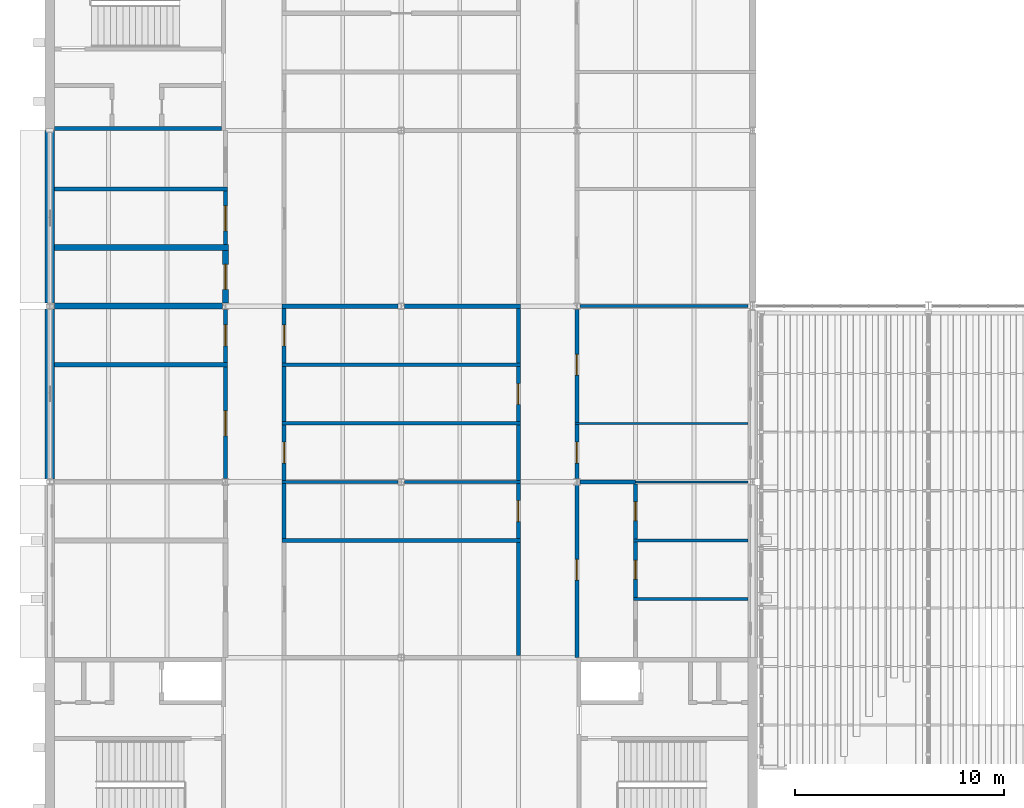
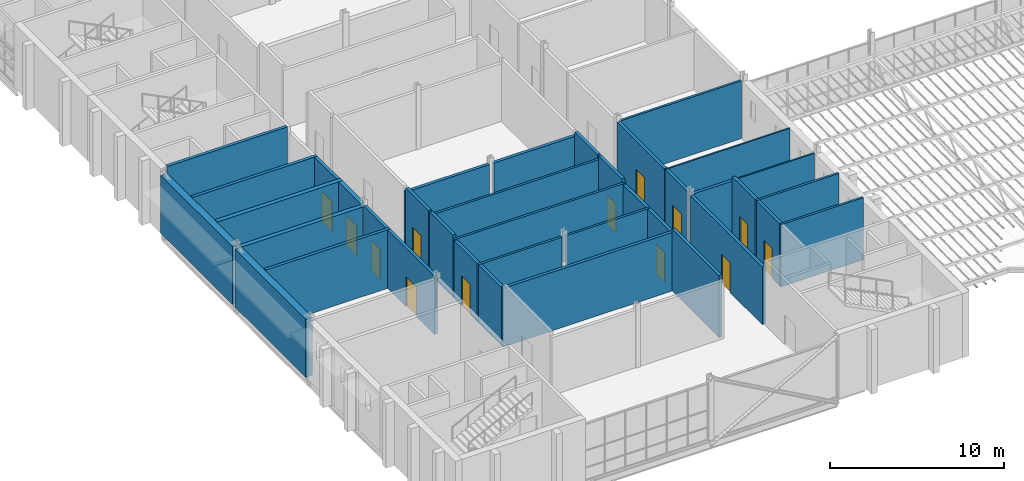
# One storey, part 85 of 129: 38 walls, 13 doors, 13 openings.
"""IFC4 building model written with IfcOpenShell, lengths in metres."""

from ifc_helpers import new_model, si_unit, direction, frame, frame_2d, origin, place, context, subcontext, project, spatial, rectangle, extrude, material, layer, layer_set, type_object, element, fill, save


model = new_model("IFC4")

# Units and contexts
model_context = context("Model", 3, precision=1e-05, world=origin(), true_north=direction((0.0, 1.0)))
body_context = subcontext(model_context, "Body", "Model", "MODEL_VIEW")
ifc_project = project(units=[si_unit("LENGTHUNIT", "METRE"), si_unit("AREAUNIT", "SQUARE_METRE"), si_unit("VOLUMEUNIT", "CUBIC_METRE"), si_unit("PLANEANGLEUNIT", "RADIAN"), si_unit("MASSUNIT", "GRAM", prefix="KILO")], contexts=[model_context])

# Site, building, storey
site_placement = place(None, origin())
site = spatial("IfcSite", under=ifc_project, at=site_placement, CompositionType="ELEMENT")
building_placement = place(site_placement, origin())
building = spatial("IfcBuilding", under=site, at=building_placement, Name="Ardhachandra Cancer Care Centre", CompositionType="ELEMENT")
storey_placement = place(building_placement, frame((0.0, 0.0, 4.5)))
storey = spatial("IfcBuildingStorey", under=building, at=storey_placement, Name="L01", CompositionType="ELEMENT", Elevation=4.5)

# Wall
ifc_material_1 = material(Name="Gypsum board corridor partition on steel studs", Category="steel")
ifc_layer_1 = layer(ifc_material_1, 0.199951171875)
ifc_layer_set_1 = layer_set([ifc_layer_1], Name="Gypsum board corridor partition on steel studs")
wall_type_1 = type_object("IfcWallType", Name="CORRIDOR WALL 200", PredefinedType="PARTITIONING", material=ifc_layer_set_1)
wall_1_placement = place(storey_placement, frame((36.14990234375, 46.199951171875, 0.0), z_axis=(0.0, 0.0, 1.0), x_axis=(1.0, 0.0, 0.0)))
element("IfcWall", 1, at=wall_1_placement, inside=storey, type_object=wall_type_1, Name="R/wall/L01/h0046200_0036150", PredefinedType="PARTITIONING", context=body_context, shape_type="SweptSolid", body=[
    extrude(rectangle(XDim=2.650146484375, YDim=0.199951171875, at=frame_2d((1.3251953125, 0.0))), origin(), (0.0, 0.0, 1.0), 4.0439453125),
])

# Wall, opening, door
wall_2_placement = place(storey_placement, frame((19.199951171875, 51.89990234375, 0.0), z_axis=(0.0, 0.0, 1.0), x_axis=(0.0, 1.0, 0.0)))
wall_2 = element("IfcWall", 2, at=wall_2_placement, inside=storey, type_object=wall_type_1, Name="R/wall/L01/v0019200_0051900", PredefinedType="PARTITIONING", context=body_context, shape_type="SweptSolid", body=[
    extrude(rectangle(XDim=2.550048828125, YDim=0.199951171875, at=frame_2d((1.27490234375, 0.0))), origin(), (0.0, 0.0, 1.0), 4.10009765625),
])
opening_1_placement = place(wall_2_placement, frame((0.800048828125, 0.0, 0.0)))
opening_1 = element("IfcOpeningElement", 3, at=opening_1_placement, cuts=wall_2, Name="Opening L01-0047", PredefinedType="OPENING", context=body_context, shape_type="SweptSolid", body=[
    extrude(rectangle(XDim=1.0, YDim=2.10009765625, at=frame_2d((0.5, 1.050048828125))), frame((0.0, 0.10986328125, 0.0), z_axis=(0.0, -1.0, 0.0), x_axis=(1.0, 0.0, 0.0)), (0.0, 0.0, 1.0), 0.219970703125),
])
ifc_material_2 = material(Name="Timber fire door with smoke seals", Category="wood")
door_type_1 = type_object("IfcDoorType", Name="FIRE DOOR SINGLE 1000x2100 FD30S", OperationType="NOTDEFINED", PredefinedType="DOOR", material=ifc_material_2)
door_1_placement = place(opening_1_placement, origin())
door_1 = element("IfcDoor", 4, at=door_1_placement, inside=storey, type_object=door_type_1, Name="Door L01-0047", OperationType="SINGLE_SWING_LEFT", OverallHeight=2.10009765625, OverallWidth=1.0, PredefinedType="DOOR", context=body_context, shape_type="SweptSolid", body=[
    extrude(rectangle(XDim=1.0, YDim=2.10009765625, at=frame_2d((0.5, 1.050048828125))), frame((0.0, 0.02490234375, 0.0), z_axis=(0.0, -1.0, 0.0), x_axis=(1.0, 0.0, 0.0)), (0.0, 0.0, 1.0), 0.050048828125),
])
fill(opening_1, door_1)

# Wall
wall_3_placement = place(storey_placement, frame((22.0, 43.5, 0.0), z_axis=(0.0, 0.0, 1.0), x_axis=(0.0, 1.0, 0.0)))
element("IfcWall", 5, at=wall_3_placement, inside=storey, type_object=wall_type_1, Name="R/wall/L01/v0022000_0043500", PredefinedType="PARTITIONING", context=body_context, shape_type="SweptSolid", body=[
    extrude(rectangle(XDim=2.625, YDim=0.199951171875, at=frame_2d((1.3125, 0.0))), origin(), (0.0, 0.0, 1.0), 4.0439453125),
])

# Wall, opening, door
wall_4_placement = place(storey_placement, frame((22.0, 46.27490234375, 0.0), z_axis=(0.0, 0.0, 1.0), x_axis=(0.0, 1.0, 0.0)))
wall_4 = element("IfcWall", 6, at=wall_4_placement, inside=storey, type_object=wall_type_1, Name="R/wall/L01/v0022000_0046275", PredefinedType="PARTITIONING", context=body_context, shape_type="SweptSolid", body=[
    extrude(rectangle(XDim=2.650146484375, YDim=0.199951171875, at=frame_2d((1.3251953125, 0.0))), origin(), (0.0, 0.0, 1.0), 4.0439453125),
])
opening_2_placement = place(wall_4_placement, frame((0.824951171875, 0.0, 0.0)))
opening_2 = element("IfcOpeningElement", 7, at=opening_2_placement, cuts=wall_4, Name="Opening L01-0052", PredefinedType="OPENING", context=body_context, shape_type="SweptSolid", body=[
    extrude(rectangle(XDim=1.0, YDim=2.10009765625, at=frame_2d((0.5, 1.050048828125))), frame((0.0, 0.10986328125, 0.0), z_axis=(0.0, -1.0, 0.0), x_axis=(1.0, 0.0, 0.0)), (0.0, 0.0, 1.0), 0.219970703125),
])
door_2_placement = place(opening_2_placement, origin())
door_2 = element("IfcDoor", 8, at=door_2_placement, inside=storey, type_object=door_type_1, Name="Door L01-0052", OperationType="SINGLE_SWING_LEFT", OverallHeight=2.10009765625, OverallWidth=1.0, PredefinedType="DOOR", context=body_context, shape_type="SweptSolid", body=[
    extrude(rectangle(XDim=1.0, YDim=2.10009765625, at=frame_2d((0.5, 1.050048828125))), frame((0.0, 0.02490234375, 0.0), z_axis=(0.0, -1.0, 0.0), x_axis=(1.0, 0.0, 0.0)), (0.0, 0.0, 1.0), 0.050048828125),
])
fill(opening_2, door_2)

# Wall
wall_5_placement = place(storey_placement, frame((22.0, 49.074951171875, 0.0), z_axis=(0.0, 0.0, 1.0), x_axis=(0.0, 1.0, 0.0)))
element("IfcWall", 9, at=wall_5_placement, inside=storey, type_object=wall_type_1, Name="R/wall/L01/v0022000_0049075", PredefinedType="PARTITIONING", context=body_context, shape_type="SweptSolid", body=[
    extrude(rectangle(XDim=2.650146484375, YDim=0.199951171875, at=frame_2d((1.3251953125, 0.0))), origin(), (0.0, 0.0, 1.0), 4.35009765625),
])

# Wall, opening, door
wall_6_placement = place(storey_placement, frame((22.0, 51.875, 0.0), z_axis=(0.0, 0.0, 1.0), x_axis=(0.0, 1.0, 0.0)))
wall_6 = element("IfcWall", 10, at=wall_6_placement, inside=storey, type_object=wall_type_1, Name="R/wall/L01/v0022000_0051875", PredefinedType="PARTITIONING", context=body_context, shape_type="SweptSolid", body=[
    extrude(rectangle(XDim=2.625, YDim=0.199951171875, at=frame_2d((1.3125, 0.0))), origin(), (0.0, 0.0, 1.0), 4.35009765625),
])
opening_3_placement = place(wall_6_placement, frame((0.824951171875, 0.0, 0.0)))
opening_3 = element("IfcOpeningElement", 11, at=opening_3_placement, cuts=wall_6, Name="Opening L01-0053", PredefinedType="OPENING", context=body_context, shape_type="SweptSolid", body=[
    extrude(rectangle(XDim=1.0, YDim=2.10009765625, at=frame_2d((0.5, 1.050048828125))), frame((0.0, 0.10986328125, 0.0), z_axis=(0.0, -1.0, 0.0), x_axis=(1.0, 0.0, 0.0)), (0.0, 0.0, 1.0), 0.219970703125),
])
door_3_placement = place(opening_3_placement, origin())
door_3 = element("IfcDoor", 12, at=door_3_placement, inside=storey, type_object=door_type_1, Name="Door L01-0053", OperationType="SINGLE_SWING_RIGHT", OverallHeight=2.10009765625, OverallWidth=1.0, PredefinedType="DOOR", context=body_context, shape_type="SweptSolid", body=[
    extrude(rectangle(XDim=1.0, YDim=2.10009765625, at=frame_2d((0.5, 1.050048828125))), frame((0.0, 0.02490234375, 0.0), z_axis=(0.0, -1.0, 0.0), x_axis=(1.0, 0.0, 0.0)), (0.0, 0.0, 1.0), 0.050048828125),
])
fill(opening_3, door_3)

wall_7_placement = place(storey_placement, frame((33.199951171875, 43.5, 0.0), z_axis=(0.0, 0.0, 1.0), x_axis=(0.0, 1.0, 0.0)))
wall_7 = element("IfcWall", 13, at=wall_7_placement, inside=storey, type_object=wall_type_1, Name="R/wall/L01/v0033200_0043500", PredefinedType="PARTITIONING", context=body_context, shape_type="SweptSolid", body=[
    extrude(rectangle(XDim=2.625, YDim=0.199951171875, at=frame_2d((1.3125, 0.0))), origin(), (0.0, 0.0, 1.0), 4.0439453125),
])
opening_4_placement = place(wall_7_placement, frame((0.800048828125, 0.0, 0.0)))
opening_4 = element("IfcOpeningElement", 14, at=opening_4_placement, cuts=wall_7, Name="Opening L01-0057", PredefinedType="OPENING", context=body_context, shape_type="SweptSolid", body=[
    extrude(rectangle(XDim=1.0, YDim=2.10009765625, at=frame_2d((0.5, 1.050048828125))), frame((0.0, 0.10986328125, 0.0), z_axis=(0.0, -1.0, 0.0), x_axis=(1.0, 0.0, 0.0)), (0.0, 0.0, 1.0), 0.219970703125),
])
door_4_placement = place(opening_4_placement, origin())
door_4 = element("IfcDoor", 15, at=door_4_placement, inside=storey, type_object=door_type_1, Name="Door L01-0057", OperationType="SINGLE_SWING_RIGHT", OverallHeight=2.10009765625, OverallWidth=1.0, PredefinedType="DOOR", context=body_context, shape_type="SweptSolid", body=[
    extrude(rectangle(XDim=1.0, YDim=2.10009765625, at=frame_2d((0.5, 1.050048828125))), frame((0.0, 0.02490234375, 0.0), z_axis=(0.0, -1.0, 0.0), x_axis=(1.0, 0.0, 0.0)), (0.0, 0.0, 1.0), 0.050048828125),
])
fill(opening_4, door_4)

# Wall
wall_8_placement = place(storey_placement, frame((33.199951171875, 46.27490234375, 0.0), z_axis=(0.0, 0.0, 1.0), x_axis=(0.0, 1.0, 0.0)))
element("IfcWall", 16, at=wall_8_placement, inside=storey, type_object=wall_type_1, Name="R/wall/L01/v0033200_0046275", PredefinedType="PARTITIONING", context=body_context, shape_type="SweptSolid", body=[
    extrude(rectangle(XDim=2.650146484375, YDim=0.199951171875, at=frame_2d((1.3251953125, 0.0))), origin(), (0.0, 0.0, 1.0), 4.0439453125),
])

# Wall, opening, door
wall_9_placement = place(storey_placement, frame((33.199951171875, 49.074951171875, 0.0), z_axis=(0.0, 0.0, 1.0), x_axis=(0.0, 1.0, 0.0)))
wall_9 = element("IfcWall", 17, at=wall_9_placement, inside=storey, type_object=wall_type_1, Name="R/wall/L01/v0033200_0049075", PredefinedType="PARTITIONING", context=body_context, shape_type="SweptSolid", body=[
    extrude(rectangle(XDim=2.650146484375, YDim=0.199951171875, at=frame_2d((1.3251953125, 0.0))), origin(), (0.0, 0.0, 1.0), 4.35009765625),
])
opening_5_placement = place(wall_9_placement, frame((0.824951171875, 0.0, 0.0)))
opening_5 = element("IfcOpeningElement", 18, at=opening_5_placement, cuts=wall_9, Name="Opening L01-0058", PredefinedType="OPENING", context=body_context, shape_type="SweptSolid", body=[
    extrude(rectangle(XDim=1.0, YDim=2.10009765625, at=frame_2d((0.5, 1.050048828125))), frame((0.0, 0.10986328125, 0.0), z_axis=(0.0, -1.0, 0.0), x_axis=(1.0, 0.0, 0.0)), (0.0, 0.0, 1.0), 0.219970703125),
])
door_5_placement = place(opening_5_placement, origin())
door_5 = element("IfcDoor", 19, at=door_5_placement, inside=storey, type_object=door_type_1, Name="Door L01-0058", OperationType="SINGLE_SWING_RIGHT", OverallHeight=2.10009765625, OverallWidth=1.0, PredefinedType="DOOR", context=body_context, shape_type="SweptSolid", body=[
    extrude(rectangle(XDim=1.0, YDim=2.10009765625, at=frame_2d((0.5, 1.050048828125))), frame((0.0, 0.02490234375, 0.0), z_axis=(0.0, -1.0, 0.0), x_axis=(1.0, 0.0, 0.0)), (0.0, 0.0, 1.0), 0.050048828125),
])
fill(opening_5, door_5)

# Wall
wall_10_placement = place(storey_placement, frame((33.199951171875, 51.875, 0.0), z_axis=(0.0, 0.0, 1.0), x_axis=(0.0, 1.0, 0.0)))
element("IfcWall", 20, at=wall_10_placement, inside=storey, type_object=wall_type_1, Name="R/wall/L01/v0033200_0051875", PredefinedType="PARTITIONING", context=body_context, shape_type="SweptSolid", body=[
    extrude(rectangle(XDim=2.625, YDim=0.199951171875, at=frame_2d((1.3125, 0.0))), origin(), (0.0, 0.0, 1.0), 4.35009765625),
])

# Wall, opening, door
wall_11_placement = place(storey_placement, frame((36.0, 37.800048828125, 0.0), z_axis=(0.0, 0.0, 1.0), x_axis=(0.0, 1.0, 0.0)))
wall_11 = element("IfcWall", 21, at=wall_11_placement, inside=storey, type_object=wall_type_1, Name="R/wall/L01/v0036000_0037800", PredefinedType="PARTITIONING", context=body_context, shape_type="SweptSolid", body=[
    extrude(rectangle(XDim=8.25, YDim=0.199951171875, at=frame_2d((4.125, 0.0))), origin(), (0.0, 0.0, 1.0), 4.0439453125),
])
opening_6_placement = place(wall_11_placement, frame((3.699951171875, 0.0, 0.0)))
opening_6 = element("IfcOpeningElement", 22, at=opening_6_placement, cuts=wall_11, Name="Opening L01-0059", PredefinedType="OPENING", context=body_context, shape_type="SweptSolid", body=[
    extrude(rectangle(XDim=1.0, YDim=2.10009765625, at=frame_2d((0.5, 1.050048828125))), frame((0.0, 0.10986328125, 0.0), z_axis=(0.0, -1.0, 0.0), x_axis=(1.0, 0.0, 0.0)), (0.0, 0.0, 1.0), 0.219970703125),
])
door_6_placement = place(opening_6_placement, origin())
door_6 = element("IfcDoor", 23, at=door_6_placement, inside=storey, type_object=door_type_1, Name="Door L01-0059", OperationType="SINGLE_SWING_LEFT", OverallHeight=2.10009765625, OverallWidth=1.0, PredefinedType="DOOR", context=body_context, shape_type="SweptSolid", body=[
    extrude(rectangle(XDim=1.0, YDim=2.10009765625, at=frame_2d((0.5, 1.050048828125))), frame((0.0, 0.02490234375, 0.0), z_axis=(0.0, -1.0, 0.0), x_axis=(1.0, 0.0, 0.0)), (0.0, 0.0, 1.0), 0.050048828125),
])
fill(opening_6, door_6)

wall_12_placement = place(storey_placement, frame((36.0, 46.35009765625, 0.0), z_axis=(0.0, 0.0, 1.0), x_axis=(0.0, 1.0, 0.0)))
wall_12 = element("IfcWall", 24, at=wall_12_placement, inside=storey, type_object=wall_type_1, Name="R/wall/L01/v0036000_0046350", PredefinedType="PARTITIONING", context=body_context, shape_type="SweptSolid", body=[
    extrude(rectangle(XDim=2.599853515625, YDim=0.199951171875, at=frame_2d((1.2998046875, 0.0))), origin(), (0.0, 0.0, 1.0), 4.10009765625),
])
opening_7_placement = place(wall_12_placement, frame((0.75, 0.0, 0.0)))
opening_7 = element("IfcOpeningElement", 25, at=opening_7_placement, cuts=wall_12, Name="Opening L01-0060", PredefinedType="OPENING", context=body_context, shape_type="SweptSolid", body=[
    extrude(rectangle(XDim=1.0, YDim=2.10009765625, at=frame_2d((0.5, 1.050048828125))), frame((0.0, 0.10986328125, 0.0), z_axis=(0.0, -1.0, 0.0), x_axis=(1.0, 0.0, 0.0)), (0.0, 0.0, 1.0), 0.219970703125),
])
door_7_placement = place(opening_7_placement, origin())
door_7 = element("IfcDoor", 26, at=door_7_placement, inside=storey, type_object=door_type_1, Name="Door L01-0060", OperationType="SINGLE_SWING_LEFT", OverallHeight=2.10009765625, OverallWidth=1.0, PredefinedType="DOOR", context=body_context, shape_type="SweptSolid", body=[
    extrude(rectangle(XDim=1.0, YDim=2.10009765625, at=frame_2d((0.5, 1.050048828125))), frame((0.0, 0.02490234375, 0.0), z_axis=(0.0, -1.0, 0.0), x_axis=(1.0, 0.0, 0.0)), (0.0, 0.0, 1.0), 0.050048828125),
])
fill(opening_7, door_7)

wall_13_placement = place(storey_placement, frame((36.0, 49.050048828125, 0.0), z_axis=(0.0, 0.0, 1.0), x_axis=(0.0, 1.0, 0.0)))
wall_13 = element("IfcWall", 27, at=wall_13_placement, inside=storey, type_object=wall_type_1, Name="R/wall/L01/v0036000_0049050", PredefinedType="PARTITIONING", context=body_context, shape_type="SweptSolid", body=[
    extrude(rectangle(XDim=5.39990234375, YDim=0.199951171875, at=frame_2d((2.699951171875, 0.0))), origin(), (0.0, 0.0, 1.0), 4.10009765625),
])
opening_8_placement = place(wall_13_placement, frame((2.25, 0.0, 0.0)))
opening_8 = element("IfcOpeningElement", 28, at=opening_8_placement, cuts=wall_13, Name="Opening L01-0061", PredefinedType="OPENING", context=body_context, shape_type="SweptSolid", body=[
    extrude(rectangle(XDim=1.0, YDim=2.10009765625, at=frame_2d((0.5, 1.050048828125))), frame((0.0, 0.10986328125, 0.0), z_axis=(0.0, -1.0, 0.0), x_axis=(1.0, 0.0, 0.0)), (0.0, 0.0, 1.0), 0.219970703125),
])
door_8_placement = place(opening_8_placement, origin())
door_8 = element("IfcDoor", 29, at=door_8_placement, inside=storey, type_object=door_type_1, Name="Door L01-0061", OperationType="SINGLE_SWING_LEFT", OverallHeight=2.10009765625, OverallWidth=1.0, PredefinedType="DOOR", context=body_context, shape_type="SweptSolid", body=[
    extrude(rectangle(XDim=1.0, YDim=2.10009765625, at=frame_2d((0.5, 1.050048828125))), frame((0.0, 0.02490234375, 0.0), z_axis=(0.0, -1.0, 0.0), x_axis=(1.0, 0.0, 0.0)), (0.0, 0.0, 1.0), 0.050048828125),
])
fill(opening_8, door_8)

wall_14_placement = place(storey_placement, frame((38.800048828125, 40.675048828125, 0.0), z_axis=(0.0, 0.0, 1.0), x_axis=(0.0, 1.0, 0.0)))
wall_14 = element("IfcWall", 30, at=wall_14_placement, inside=storey, type_object=wall_type_1, Name="R/wall/L01/v0038800_0040675", PredefinedType="PARTITIONING", context=body_context, shape_type="SweptSolid", body=[
    extrude(rectangle(XDim=2.64990234375, YDim=0.199951171875, at=frame_2d((1.324951171875, 0.0))), origin(), (0.0, 0.0, 1.0), 4.35009765625),
])
opening_9_placement = place(wall_14_placement, frame((0.875, 0.0, 0.0)))
opening_9 = element("IfcOpeningElement", 31, at=opening_9_placement, cuts=wall_14, Name="Opening L01-0066", PredefinedType="OPENING", context=body_context, shape_type="SweptSolid", body=[
    extrude(rectangle(XDim=0.89990234375, YDim=2.10009765625, at=frame_2d((0.449951171875, 1.050048828125))), frame((0.0, 0.10986328125, 0.0), z_axis=(0.0, -1.0, 0.0), x_axis=(1.0, 0.0, 0.0)), (0.0, 0.0, 1.0), 0.219970703125),
])
ifc_material_3 = material(Name="Timber fire door with smoke seals", Category="wood")
door_type_2 = type_object("IfcDoorType", Name="FIRE DOOR WC 900x2100 FD30S", OperationType="NOTDEFINED", PredefinedType="DOOR", material=ifc_material_3)
door_9_placement = place(opening_9_placement, origin())
door_9 = element("IfcDoor", 32, at=door_9_placement, inside=storey, type_object=door_type_2, Name="Door L01-0066", OperationType="SINGLE_SWING_LEFT", OverallHeight=2.10009765625, OverallWidth=0.89990234375, PredefinedType="DOOR", context=body_context, shape_type="SweptSolid", body=[
    extrude(rectangle(XDim=0.89990234375, YDim=2.10009765625, at=frame_2d((0.449951171875, 1.050048828125))), frame((0.0, 0.02490234375, 0.0), z_axis=(0.0, -1.0, 0.0), x_axis=(1.0, 0.0, 0.0)), (0.0, 0.0, 1.0), 0.050048828125),
])
fill(opening_9, door_9)

wall_15_placement = place(storey_placement, frame((38.800048828125, 43.47509765625, 0.0), z_axis=(0.0, 0.0, 1.0), x_axis=(0.0, 1.0, 0.0)))
wall_15 = element("IfcWall", 33, at=wall_15_placement, inside=storey, type_object=wall_type_1, Name="R/wall/L01/v0038800_0043475", PredefinedType="PARTITIONING", context=body_context, shape_type="SweptSolid", body=[
    extrude(rectangle(XDim=2.625, YDim=0.199951171875, at=frame_2d((1.3125, 0.0))), origin(), (0.0, 0.0, 1.0), 4.35009765625),
])
opening_10_placement = place(wall_15_placement, frame((0.875, 0.0, 0.0)))
opening_10 = element("IfcOpeningElement", 34, at=opening_10_placement, cuts=wall_15, Name="Opening L01-0067", PredefinedType="OPENING", context=body_context, shape_type="SweptSolid", body=[
    extrude(rectangle(XDim=0.89990234375, YDim=2.10009765625, at=frame_2d((0.449951171875, 1.050048828125))), frame((0.0, 0.10986328125, 0.0), z_axis=(0.0, -1.0, 0.0), x_axis=(1.0, 0.0, 0.0)), (0.0, 0.0, 1.0), 0.219970703125),
])
door_10_placement = place(opening_10_placement, origin())
door_10 = element("IfcDoor", 35, at=door_10_placement, inside=storey, type_object=door_type_2, Name="Door L01-0067", OperationType="SINGLE_SWING_LEFT", OverallHeight=2.10009765625, OverallWidth=0.89990234375, PredefinedType="DOOR", context=body_context, shape_type="SweptSolid", body=[
    extrude(rectangle(XDim=0.89990234375, YDim=2.10009765625, at=frame_2d((0.449951171875, 1.050048828125))), frame((0.0, 0.02490234375, 0.0), z_axis=(0.0, -1.0, 0.0), x_axis=(1.0, 0.0, 0.0)), (0.0, 0.0, 1.0), 0.050048828125),
])
fill(opening_10, door_10)

# Walls
ifc_material_4 = material(Name="Concrete M40", Category="concrete")
ifc_layer_2 = layer(ifc_material_4, 0.199951171875)
ifc_layer_set_2 = layer_set([ifc_layer_2], Name="Concrete M40")
wall_type_2 = type_object("IfcWallType", Name="Core wall RC 200", PredefinedType="SOLIDWALL", material=ifc_layer_set_2)
wall_16_placement = place(storey_placement, frame((19.0, 63.10009765625, 0.0), z_axis=(0.0, 0.0, 1.0), x_axis=(-1.0, 0.0, 0.0)))
element("IfcWall", 36, at=wall_16_placement, inside=storey, type_object=wall_type_2, Name="Core wall K3 UE", PredefinedType="SOLIDWALL", context=body_context, shape_type="SweptSolid", body=[
    extrude(rectangle(XDim=7.97509765625, YDim=0.199951171875, at=frame_2d((3.987548828125, 0.0))), origin(), (0.0, 0.0, 1.0), 4.5),
])
ifc_material_5 = material(Name="Concrete block masonry with lead sheet", Category="masonry")
ifc_layer_3 = layer(ifc_material_5, 0.280029296875)
ifc_layer_set_3 = layer_set([ifc_layer_3], Name="Concrete block masonry with lead sheet")
wall_type_3 = type_object("IfcWallType", Name="HOT LABORATORY WALL 280", PredefinedType="SOLIDWALL", material=ifc_layer_set_3)
wall_17_placement = place(storey_placement, frame((11.02490234375, 54.60009765625, 0.0), z_axis=(0.0, 0.0, 1.0), x_axis=(1.0, 0.0, 0.0)))
element("IfcWall", 37, at=wall_17_placement, inside=storey, type_object=wall_type_3, Name="R/wall/L01/h0054600_0011025", PredefinedType="SOLIDWALL", context=body_context, shape_type="SweptSolid", body=[
    extrude(rectangle(XDim=8.025146484375, YDim=0.280029296875, at=frame_2d((4.0126953125, 0.0))), origin(), (0.0, 0.0, 1.0), 4.0439453125),
])
wall_18_placement = place(storey_placement, frame((11.02490234375, 57.39990234375, 0.0), z_axis=(0.0, 0.0, 1.0), x_axis=(1.0, 0.0, 0.0)))
element("IfcWall", 38, at=wall_18_placement, inside=storey, type_object=wall_type_3, Name="R/wall/L01/h0057400_0011025", PredefinedType="SOLIDWALL", context=body_context, shape_type="SweptSolid", body=[
    extrude(rectangle(XDim=8.315185546875, YDim=0.280029296875, at=frame_2d((4.15771484375, 0.0))), origin(), (0.0, 0.0, 1.0), 4.10009765625),
])

# Wall, opening, door
wall_19_placement = place(storey_placement, frame((19.199951171875, 54.75, 0.0), z_axis=(0.0, 0.0, 1.0), x_axis=(0.0, 1.0, 0.0)))
wall_19 = element("IfcWall", 39, at=wall_19_placement, inside=storey, type_object=wall_type_3, Name="R/wall/L01/v0019200_0054750", PredefinedType="SOLIDWALL", context=body_context, shape_type="SweptSolid", body=[
    extrude(rectangle(XDim=2.510009765625, YDim=0.280029296875, at=frame_2d((1.2548828125, 0.0))), origin(), (0.0, 0.0, 1.0), 4.10009765625),
])
opening_11_placement = place(wall_19_placement, frame((0.64990234375, 0.0, 0.0)))
opening_11 = element("IfcOpeningElement", 40, at=opening_11_placement, cuts=wall_19, Name="Opening L01-0048", PredefinedType="OPENING", context=body_context, shape_type="SweptSolid", body=[
    extrude(rectangle(XDim=1.199951171875, YDim=2.10009765625, at=frame_2d((0.60009765625, 1.050048828125))), frame((0.0, 0.14990234375, 0.0), z_axis=(0.0, -1.0, 0.0), x_axis=(1.0, 0.0, 0.0)), (0.0, 0.0, 1.0), 0.300048828125),
])
ifc_material_6 = material(Name="Lead-lined timber door", Category="wood")
door_type_3 = type_object("IfcDoorType", Name="LEAD-LINED DOOR 1200x2100 FD60", OperationType="NOTDEFINED", PredefinedType="DOOR", material=ifc_material_6)
door_11_placement = place(opening_11_placement, origin())
door_11 = element("IfcDoor", 41, at=door_11_placement, inside=storey, type_object=door_type_3, Name="Door L01-0048", OperationType="SINGLE_SWING_LEFT", OverallHeight=2.10009765625, OverallWidth=1.199951171875, PredefinedType="DOOR", context=body_context, shape_type="SweptSolid", body=[
    extrude(rectangle(XDim=1.199951171875, YDim=2.10009765625, at=frame_2d((0.60009765625, 1.050048828125))), frame((0.0, 0.02490234375, 0.0), z_axis=(0.0, -1.0, 0.0), x_axis=(1.0, 0.0, 0.0)), (0.0, 0.0, 1.0), 0.050048828125),
])
fill(opening_11, door_11)

# Walls
ifc_material_7 = material(Name="Lead-lined gypsum board partition")
ifc_layer_4 = layer(ifc_material_7, 0.199951171875)
ifc_layer_set_4 = layer_set([ifc_layer_4], Name="Lead-lined gypsum board partition")
wall_type_4 = type_object("IfcWallType", Name="LEAD-LINED PARTITION 200", PredefinedType="PARTITIONING", material=ifc_layer_set_4)
wall_20_placement = place(storey_placement, frame((21.89990234375, 43.39990234375, 0.0), z_axis=(0.0, 0.0, 1.0), x_axis=(1.0, 0.0, 0.0)))
element("IfcWall", 42, at=wall_20_placement, inside=storey, type_object=wall_type_4, Name="R/wall/L01/h0043400_0021900", PredefinedType="PARTITIONING", context=body_context, shape_type="SweptSolid", body=[
    extrude(rectangle(XDim=11.400146484375, YDim=0.199951171875, at=frame_2d((5.7001953125, 0.0))), origin(), (0.0, 0.0, 1.0), 4.10009765625),
])
for number, where, z_axis, x_axis, name in (
    (43, (11.02490234375, 51.800048828125, 0.0), (0.0, 0.0, 1.0), (1.0, 0.0, 0.0), "R/wall/L01/h0051800_0011025"),
    (44, (11.02490234375, 60.199951171875, 0.0), (0.0, 0.0, 1.0), (1.0, 0.0, 0.0), "R/wall/L01/h0060200_0011025"),
):
    element("IfcWall", number, at=place(storey_placement, frame(where, z_axis=z_axis, x_axis=x_axis)), inside=storey, type_object=wall_type_4, Name=name, PredefinedType="PARTITIONING", context=body_context, shape_type="SweptSolid", body=[
        extrude(rectangle(XDim=8.275146484375, YDim=0.199951171875, at=frame_2d((4.1376953125, 0.0))), origin(), (0.0, 0.0, 1.0), 4.10009765625),
    ])

# Wall, opening, door
wall_21_placement = place(storey_placement, frame((19.199951171875, 46.35009765625, 0.0), z_axis=(0.0, 0.0, 1.0), x_axis=(0.0, 1.0, 0.0)))
wall_21 = element("IfcWall", 45, at=wall_21_placement, inside=storey, type_object=wall_type_4, Name="R/wall/L01/v0019200_0046350", PredefinedType="PARTITIONING", context=body_context, shape_type="SweptSolid", body=[
    extrude(rectangle(XDim=5.349853515625, YDim=0.199951171875, at=frame_2d((2.6748046875, 0.0))), origin(), (0.0, 0.0, 1.0), 4.10009765625),
])
opening_12_placement = place(wall_21_placement, frame((2.050048828125, 0.0, 0.0)))
opening_12 = element("IfcOpeningElement", 46, at=opening_12_placement, cuts=wall_21, Name="Opening L01-0046", PredefinedType="OPENING", context=body_context, shape_type="SweptSolid", body=[
    extrude(rectangle(XDim=1.199951171875, YDim=2.10009765625, at=frame_2d((0.60009765625, 1.050048828125))), frame((0.0, 0.10986328125, 0.0), z_axis=(0.0, -1.0, 0.0), x_axis=(1.0, 0.0, 0.0)), (0.0, 0.0, 1.0), 0.219970703125),
])
door_12_placement = place(opening_12_placement, origin())
door_12 = element("IfcDoor", 47, at=door_12_placement, inside=storey, type_object=door_type_3, Name="Door L01-0046", OperationType="SINGLE_SWING_RIGHT", OverallHeight=2.10009765625, OverallWidth=1.199951171875, PredefinedType="DOOR", context=body_context, shape_type="SweptSolid", body=[
    extrude(rectangle(XDim=1.199951171875, YDim=2.10009765625, at=frame_2d((0.60009765625, 1.050048828125))), frame((0.0, 0.02490234375, 0.0), z_axis=(0.0, -1.0, 0.0), x_axis=(1.0, 0.0, 0.0)), (0.0, 0.0, 1.0), 0.050048828125),
])
fill(opening_12, door_12)

wall_22_placement = place(storey_placement, frame((19.199951171875, 57.5400390625, 0.0), z_axis=(0.0, 0.0, 1.0), x_axis=(0.0, 1.0, 0.0)))
wall_22 = element("IfcWall", 48, at=wall_22_placement, inside=storey, type_object=wall_type_4, Name="R/wall/L01/v0019200_0057540", PredefinedType="PARTITIONING", context=body_context, shape_type="SweptSolid", body=[
    extrude(rectangle(XDim=2.56005859375, YDim=0.199951171875, at=frame_2d((1.280029296875, 0.0))), origin(), (0.0, 0.0, 1.0), 4.10009765625),
])
opening_13_placement = place(wall_22_placement, frame((0.659912109375, 0.0, 0.0)))
opening_13 = element("IfcOpeningElement", 49, at=opening_13_placement, cuts=wall_22, Name="Opening L01-0049", PredefinedType="OPENING", context=body_context, shape_type="SweptSolid", body=[
    extrude(rectangle(XDim=1.199951171875, YDim=2.10009765625, at=frame_2d((0.60009765625, 1.050048828125))), frame((0.0, 0.10986328125, 0.0), z_axis=(0.0, -1.0, 0.0), x_axis=(1.0, 0.0, 0.0)), (0.0, 0.0, 1.0), 0.219970703125),
])
door_13_placement = place(opening_13_placement, origin())
door_13 = element("IfcDoor", 50, at=door_13_placement, inside=storey, type_object=door_type_3, Name="Door L01-0049", OperationType="SINGLE_SWING_LEFT", OverallHeight=2.10009765625, OverallWidth=1.199951171875, PredefinedType="DOOR", context=body_context, shape_type="SweptSolid", body=[
    extrude(rectangle(XDim=1.199951171875, YDim=2.10009765625, at=frame_2d((0.60009765625, 1.050048828125))), frame((0.0, 0.02490234375, 0.0), z_axis=(0.0, -1.0, 0.0), x_axis=(1.0, 0.0, 0.0)), (0.0, 0.0, 1.0), 0.050048828125),
])
fill(opening_13, door_13)

# Walls
wall_23_placement = place(storey_placement, frame((33.199951171875, 37.89990234375, 0.0), z_axis=(0.0, 0.0, 1.0), x_axis=(0.0, 1.0, 0.0)))
element("IfcWall", 51, at=wall_23_placement, inside=storey, type_object=wall_type_4, Name="R/wall/L01/v0033200_0037900", PredefinedType="PARTITIONING", context=body_context, shape_type="SweptSolid", body=[
    extrude(rectangle(XDim=5.400146484375, YDim=0.199951171875, at=frame_2d((2.7001953125, 0.0))), origin(), (0.0, 0.0, 1.0), 4.35009765625),
])
ifc_material_8 = material(Name="Gypsum board partition on steel studs", Category="steel")
ifc_layer_5 = layer(ifc_material_8, 0.14990234375)
ifc_layer_set_5 = layer_set([ifc_layer_5], Name="Gypsum board partition on steel studs")
wall_type_5 = type_object("IfcWallType", Name="PARTITION 150", PredefinedType="PARTITIONING", material=ifc_layer_set_5)
for number, where, z_axis, x_axis, name in (
    (52, (21.89990234375, 49.0, 0.0), (0.0, 0.0, 1.0), (1.0, 0.0, 0.0), "R/wall/L01/h0049000_0021900"),
    (53, (21.89990234375, 51.800048828125, 0.0), (0.0, 0.0, 1.0), (1.0, 0.0, 0.0), "R/wall/L01/h0051800_0021900"),
):
    element("IfcWall", number, at=place(storey_placement, frame(where, z_axis=z_axis, x_axis=x_axis)), inside=storey, type_object=wall_type_5, Name=name, PredefinedType="PARTITIONING", context=body_context, shape_type="SweptSolid", body=[
        extrude(rectangle(XDim=11.400146484375, YDim=0.14990234375, at=frame_2d((5.7001953125, 0.0))), origin(), (0.0, 0.0, 1.0), 4.10009765625),
    ])
wall_24_placement = place(storey_placement, frame((36.14990234375, 54.60009765625, 0.0), z_axis=(0.0, 0.0, 1.0), x_axis=(1.0, 0.0, 0.0)))
element("IfcWall", 54, at=wall_24_placement, inside=storey, type_object=wall_type_5, Name="R/wall/L01/h0054600_0036150", PredefinedType="PARTITIONING", context=body_context, shape_type="SweptSolid", body=[
    extrude(rectangle(XDim=8.025146484375, YDim=0.14990234375, at=frame_2d((4.0126953125, 0.0))), origin(), (0.0, 0.0, 1.0), 4.0439453125),
])
ifc_material_9 = material(Name="Gypsum board partition on steel studs", Category="steel")
ifc_layer_6 = layer(ifc_material_9, 0.14990234375)
ifc_layer_set_6 = layer_set([ifc_layer_6], Name="Gypsum board partition on steel studs")
wall_type_6 = type_object("IfcWallType", Name="PARTITION 150 EI 60", PredefinedType="PARTITIONING", material=ifc_layer_set_6)
for number, where, z_axis, x_axis, name in (
    (55, (21.89990234375, 46.199951171875, 0.0), (0.0, 0.0, 1.0), (1.0, 0.0, 0.0), "R/wall/L01/h0046200_0021900"),
    (56, (27.75, 46.199951171875, 0.0), (0.0, 0.0, 1.0), (1.0, 0.0, 0.0), "R/wall/L01/h0046200_0027750"),
):
    element("IfcWall", number, at=place(storey_placement, frame(where, z_axis=z_axis, x_axis=x_axis)), inside=storey, type_object=wall_type_6, Name=name, PredefinedType="PARTITIONING", context=body_context, shape_type="SweptSolid", body=[
        extrude(rectangle(XDim=5.550048828125, YDim=0.14990234375, at=frame_2d((2.77490234375, 0.0))), origin(), (0.0, 0.0, 1.0), 4.0439453125),
    ])
ifc_material_10 = material(Name="Brick masonry", Category="masonry")
ifc_layer_7 = layer(ifc_material_10, 0.199951171875)
ifc_layer_set_7 = layer_set([ifc_layer_7], Name="Brick masonry")
wall_type_7 = type_object("IfcWallType", Name="PLANT ROOM WALL 200", PredefinedType="SOLIDWALL", material=ifc_layer_set_7)
for number, where, z_axis, x_axis, name in (
    (57, (21.89990234375, 54.60009765625, 0.0), (0.0, 0.0, 1.0), (1.0, 0.0, 0.0), "R/wall/L01/h0054600_0021900"),
    (58, (27.75, 54.60009765625, 0.0), (0.0, 0.0, 1.0), (1.0, 0.0, 0.0), "R/wall/L01/h0054600_0027750"),
):
    element("IfcWall", number, at=place(storey_placement, frame(where, z_axis=z_axis, x_axis=x_axis)), inside=storey, type_object=wall_type_7, Name=name, PredefinedType="SOLIDWALL", context=body_context, shape_type="SweptSolid", body=[
        extrude(rectangle(XDim=5.550048828125, YDim=0.199951171875, at=frame_2d((2.77490234375, 0.0))), origin(), (0.0, 0.0, 1.0), 4.0439453125),
    ])
ifc_material_11 = material(Name="Concrete block masonry", Category="masonry")
ifc_layer_8 = layer(ifc_material_11, 0.10009765625)
ifc_layer_set_8 = layer_set([ifc_layer_8], Name="Concrete block masonry")
wall_type_8 = type_object("IfcWallType", Name="STORE PARTITION 100", PredefinedType="SOLIDWALL", material=ifc_layer_set_8)
wall_25_placement = place(storey_placement, frame((38.800048828125, 46.199951171875, 0.0), z_axis=(0.0, 0.0, 1.0), x_axis=(1.0, 0.0, 0.0)))
element("IfcWall", 59, at=wall_25_placement, inside=storey, type_object=wall_type_8, Name="R/wall/L01/h0046200_0038800", PredefinedType="SOLIDWALL", context=body_context, shape_type="SweptSolid", body=[
    extrude(rectangle(XDim=5.375, YDim=0.10009765625, at=frame_2d((2.6875, 0.0))), origin(), (0.0, 0.0, 1.0), 4.0439453125),
])
wall_26_placement = place(storey_placement, frame((35.89990234375, 49.0, 0.0), z_axis=(0.0, 0.0, 1.0), x_axis=(1.0, 0.0, 0.0)))
element("IfcWall", 60, at=wall_26_placement, inside=storey, type_object=wall_type_8, Name="R/wall/L01/h0049000_0035900", PredefinedType="SOLIDWALL", context=body_context, shape_type="SweptSolid", body=[
    extrude(rectangle(XDim=8.275146484375, YDim=0.10009765625, at=frame_2d((4.1376953125, 0.0))), origin(), (0.0, 0.0, 1.0), 4.10009765625),
])
ifc_material_12 = material(Name="Brick masonry with Concrete M30 core 150", Category="masonry")
ifc_layer_9 = layer(ifc_material_12, 0.449951171875)
ifc_layer_set_9 = layer_set([ifc_layer_9], Name="Brick masonry with Concrete M30 core 150")
wall_type_9 = type_object("IfcWallType", Name="Shielded brick wall 450", PredefinedType="SOLIDWALL", material=ifc_layer_set_9)
wall_27_placement = place(storey_placement, frame((10.800048828125, 46.344970703125, 0.0), z_axis=(0.0, 0.0, 1.0), x_axis=(0.0, 1.0, 0.0)))
element("IfcWall", 61, at=wall_27_placement, inside=storey, type_object=wall_type_9, Name="E/wall/L01/w/0010800_0046200", PredefinedType="SOLIDWALL", context=body_context, shape_type="SweptSolid", body=[
    extrude(rectangle(XDim=8.110107421875, YDim=0.449951171875, at=frame_2d((4.05517578125, 0.0))), origin(), (0.0, 0.0, 1.0), 4.050048828125),
])
wall_28_placement = place(storey_placement, frame((10.800048828125, 54.7451171875, 0.0), z_axis=(0.0, 0.0, 1.0), x_axis=(0.0, 1.0, 0.0)))
element("IfcWall", 62, at=wall_28_placement, inside=storey, type_object=wall_type_9, Name="E/wall/L01/w/0010800_0054600", PredefinedType="SOLIDWALL", context=body_context, shape_type="SweptSolid", body=[
    extrude(rectangle(XDim=8.2548828125, YDim=0.449951171875, at=frame_2d((4.12744140625, 0.0))), origin(), (0.0, 0.0, 1.0), 4.050048828125),
])
ifc_material_13 = material(Name="Tiled gypsum board partition on steel studs", Category="steel")
ifc_layer_10 = layer(ifc_material_13, 0.14990234375)
ifc_layer_set_10 = layer_set([ifc_layer_10], Name="Tiled gypsum board partition on steel studs")
wall_type_10 = type_object("IfcWallType", Name="WET ROOM PARTITION 150", PredefinedType="PARTITIONING", material=ifc_layer_set_10)
for number, where, z_axis, x_axis, name in (
    (63, (38.699951171875, 40.60009765625, 0.0), (0.0, 0.0, 1.0), (1.0, 0.0, 0.0), "R/wall/L01/h0040600_0038700"),
    (64, (38.699951171875, 43.39990234375, 0.0), (0.0, 0.0, 1.0), (1.0, 0.0, 0.0), "R/wall/L01/h0043400_0038700"),
):
    element("IfcWall", number, at=place(storey_placement, frame(where, z_axis=z_axis, x_axis=x_axis)), inside=storey, type_object=wall_type_10, Name=name, PredefinedType="PARTITIONING", context=body_context, shape_type="SweptSolid", body=[
        extrude(rectangle(XDim=5.47509765625, YDim=0.14990234375, at=frame_2d((2.737548828125, 0.0))), origin(), (0.0, 0.0, 1.0), 4.35009765625),
    ])

save(model, "model.ifc")
